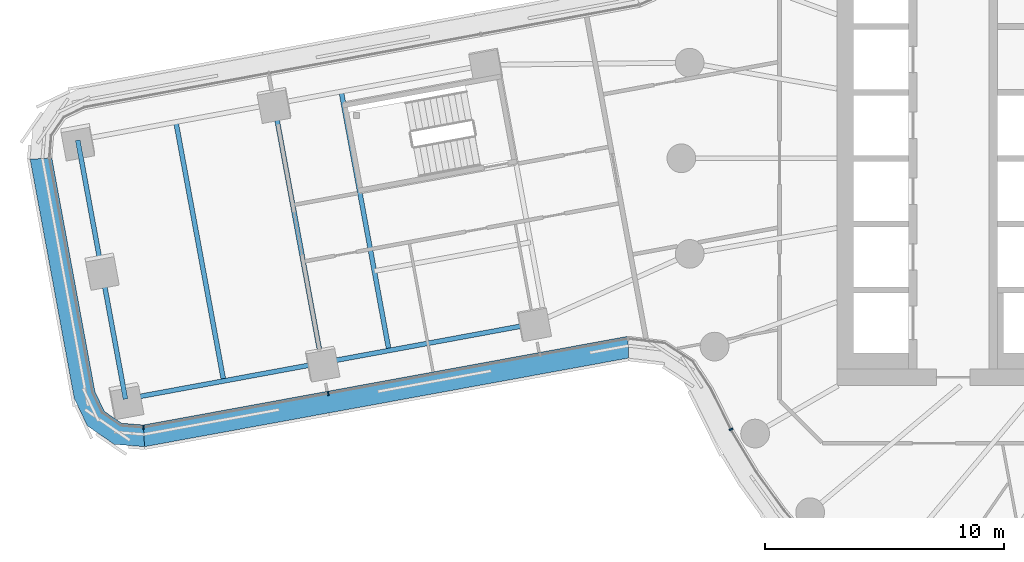
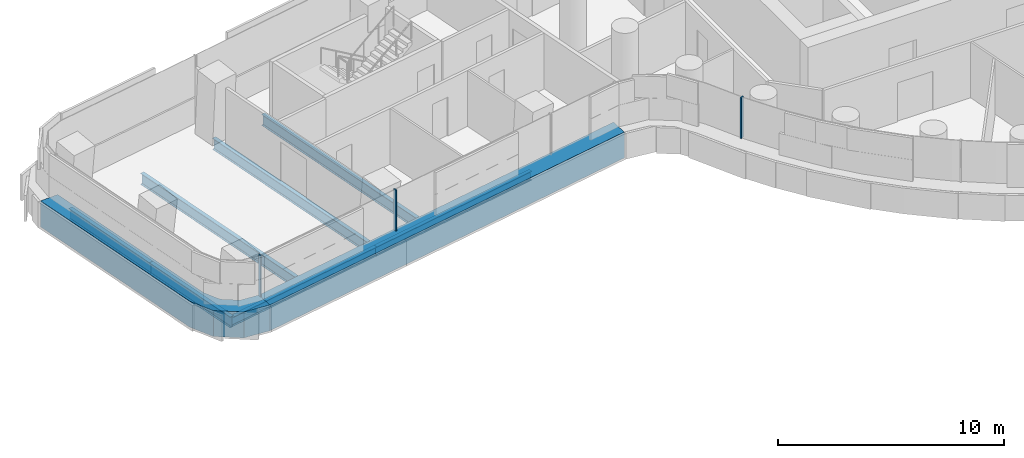
# One storey, part 6 of 33: 7 beams, 5 members, 3 elements without a shape of their own.
"""IFC4 building model written with IfcOpenShell, lengths in metres."""

from ifc_helpers import new_model, si_unit, direction, frame, origin, origin_2d, place, context, subcontext, project, spatial, polyline, rectangle, i_section, outline, extrude, material, layer, layer_set, material_profile, profile_set, type_object, element, aggregate, save


model = new_model("IFC4")

# Units and contexts
model_context = context("Model", 3, precision=1e-05, world=origin(), true_north=direction((0.0, 1.0)))
body_context = subcontext(model_context, "Body", "Model", "MODEL_VIEW")
ifc_project = project(units=[si_unit("LENGTHUNIT", "METRE"), si_unit("AREAUNIT", "SQUARE_METRE"), si_unit("VOLUMEUNIT", "CUBIC_METRE"), si_unit("PLANEANGLEUNIT", "RADIAN"), si_unit("MASSUNIT", "GRAM", prefix="KILO")], contexts=[model_context])

# Site, building, storey
site_placement = place(None, origin())
site = spatial("IfcSite", under=ifc_project, at=site_placement, CompositionType="ELEMENT")
building_placement = place(site_placement, origin())
building = spatial("IfcBuilding", under=site, at=building_placement, Name="Tamarind Cross Interchange Tower", CompositionType="ELEMENT")
storey_placement = place(building_placement, frame((0.0, 0.0, 71.5)))
storey = spatial("IfcBuildingStorey", under=building, at=storey_placement, Name="L16", CompositionType="ELEMENT", Elevation=71.5)

# Beams
ifc_material_1 = material(Name="Steel Q355B", Category="steel")
ifc_material_profile_1 = material_profile(ifc_material_1, i_section(OverallWidth=0.198974609375, OverallDepth=0.49609375, WebThickness=0.009033203125, FlangeThickness=0.013916015625, FilletRadius=0.012939453125, at=origin_2d()), Name="HN 496x199x9x14")
ifc_profile_set_1 = profile_set([ifc_material_profile_1], Name="Steel Q355B")
beam_type_1 = type_object("IfcBeamType", Name="Composite beam HN 496x199x9x14 Q355B", PredefinedType="BEAM", material=ifc_profile_set_1)
beam_1_placement = place(storey_placement, frame((-46.219482421875, -10.058837890625, -0.387939453125), z_axis=(0.983421064017, 0.181336733309, 0.0), x_axis=(-0.181336733309, 0.983421064017, 0.0)))
element("IfcBeam", 1, at=beam_1_placement, inside=storey, type_object=beam_type_1, Name="Beam W-edgeep2", PredefinedType="BEAM", context=body_context, shape_type="SweptSolid", body=[
    extrude(i_section(OverallWidth=0.198974609375, OverallDepth=0.49609375, WebThickness=0.009033203125, FlangeThickness=0.013916015625, FilletRadius=0.012939453125, at=origin_2d()), origin(), (0.0, 0.0, 1.0), 8.341796875),
])
beam_2_placement = place(storey_placement, frame((-38.015869140625, -8.546142578125, -0.387939453125), z_axis=(0.983420231604, 0.181341247573, 0.0), x_axis=(-0.181341247573, 0.983420231604, 0.0)))
element("IfcBeam", 2, at=beam_2_placement, inside=storey, type_object=beam_type_1, Name="Beam W-edgeep3", PredefinedType="BEAM", context=body_context, shape_type="SweptSolid", body=[
    extrude(i_section(OverallWidth=0.198974609375, OverallDepth=0.49609375, WebThickness=0.009033203125, FlangeThickness=0.013916015625, FilletRadius=0.012939453125, at=origin_2d()), origin(), (0.0, 0.0, 1.0), 9.0),
])
ifc_material_profile_2 = material_profile(ifc_material_1, i_section(OverallWidth=0.199951171875, OverallDepth=0.60009765625, WebThickness=0.010986328125, FlangeThickness=0.01708984375, FilletRadius=0.012939453125, at=origin_2d()), Name="HN 600x200x11x17")
ifc_profile_set_2 = profile_set([ifc_material_profile_2], Name="Steel Q355B")
beam_type_2 = type_object("IfcBeamType", Name="Composite beam HN 600x200x11x17 Q355B", PredefinedType="BEAM", material=ifc_profile_set_2)
beam_3_placement = place(storey_placement, frame((-48.21435546875, 0.7587890625, -0.43994140625), z_axis=(0.181334160183, -0.983421538482, 0.0), x_axis=(0.983421538482, 0.181334160183, 0.0)))
element("IfcBeam", 3, at=beam_3_placement, inside=storey, type_object=beam_type_2, Name="Beam W-tip0", PredefinedType="BEAM", context=body_context, shape_type="SweptSolid", body=[
    extrude(i_section(OverallWidth=0.199951171875, OverallDepth=0.60009765625, WebThickness=0.010986328125, FlangeThickness=0.01708984375, FilletRadius=0.012939453125, at=origin_2d()), origin(), (0.0, 0.0, 1.0), 5.499755859375),
])
beam_4_placement = place(storey_placement, frame((-47.217041015625, -4.64990234375, -0.43994140625), z_axis=(0.181369172841, -0.983415081816, 0.0), x_axis=(0.983415081816, 0.181369172841, 0.0)))
element("IfcBeam", 4, at=beam_4_placement, inside=storey, type_object=beam_type_2, Name="Beam W-tip1", PredefinedType="BEAM", context=body_context, shape_type="SweptSolid", body=[
    extrude(i_section(OverallWidth=0.199951171875, OverallDepth=0.60009765625, WebThickness=0.010986328125, FlangeThickness=0.01708984375, FilletRadius=0.012939453125, at=origin_2d()), origin(), (0.0, 0.0, 1.0), 5.500244140625),
])
for number, where, z_axis, x_axis, name in (
    (5, (-37.207763671875, 2.788330078125, -0.43994140625), (0.181330202258, -0.98342226828, 0.0), (0.98342226828, 0.181330202258, 0.0), "Beam W-x364"),
    (6, (-40.010498046875, 2.271484375, -0.43994140625), (0.181330202258, -0.98342226828, 0.0), (0.98342226828, 0.181330202258, 0.0), "Beam W-x393"),
    (7, (-44.112548828125, 1.51513671875, -0.43994140625), (0.181351666994, -0.983418310221, 0.0), (0.983418310221, 0.181351666994, 0.0), "Beam W-x435"),
):
    element("IfcBeam", number, at=place(storey_placement, frame(where, z_axis=z_axis, x_axis=x_axis)), inside=storey, type_object=beam_type_2, Name=name, PredefinedType="BEAM", context=body_context, shape_type="SweptSolid", body=[
        extrude(i_section(OverallWidth=0.199951171875, OverallDepth=0.60009765625, WebThickness=0.010986328125, FlangeThickness=0.01708984375, FilletRadius=0.012939453125, at=origin_2d()), origin(), (0.0, 0.0, 1.0), 11.0),
    ])

# Curtain wall, member
ifc_material_2 = material(Name="Aluminium 6063-T6", Category="aluminium")
ifc_layer = layer(ifc_material_2, 0.159912109375)
ifc_layer_set = layer_set([ifc_layer], Name="Aluminium 6063-T6")
curtain_wall_type = type_object("IfcCurtainWallType", Name="Office curtain wall, 9.0 m bays", PredefinedType="NOTDEFINED", material=ifc_layer_set)
curtain_wall_1_placement = place(storey_placement, origin())
curtain_wall_1 = element("IfcCurtainWall", 8, at=curtain_wall_1_placement, inside=storey, type_object=curtain_wall_type, Name="CWS-L16-00", PredefinedType="NOTDEFINED")
ifc_material_3 = material(Name="Aluminium and insulated spandrel panel", Category="aluminium")
member_type_1 = type_object("IfcMemberType", Name="Floor-edge blade transom", PredefinedType="USERDEFINED", material=ifc_material_3)
member_1_placement = place(storey_placement, origin())
member_1 = element("IfcMember", 9, at=member_1_placement, type_object=member_type_1, Name="CWT-L16-00", ObjectType="TRANSOM", PredefinedType="USERDEFINED", context=body_context, shape_type="SweptSolid", body=[
    extrude(outline(polyline([(-49.296630859375, 0.0107421875), (-47.49755859375, -9.745849609375), (-47.104248046875, -10.572509765625), (-46.384033203125, -11.068359375), (-45.47119140625, -11.14111328125), (-45.425048828125, -12.047607421875), (-46.69580078125, -11.946533203125), (-47.813232421875, -11.177001953125), (-48.361083984375, -10.025634765625), (-50.203125, -0.0361328125), (-49.296630859375, 0.0107421875)])), origin(), (0.0, 0.0, 1.0), 1.39990234375),
])
aggregate(curtain_wall_1, [member_1])

# Curtain wall, members
curtain_wall_2_placement = place(storey_placement, origin())
curtain_wall_2 = element("IfcCurtainWall", 10, at=curtain_wall_2_placement, inside=storey, type_object=curtain_wall_type, Name="CWS-L16-01", PredefinedType="NOTDEFINED")
member_2_placement = place(storey_placement, origin())
member_2 = element("IfcMember", 11, at=member_2_placement, type_object=member_type_1, Name="CWT-L16-01", ObjectType="TRANSOM", PredefinedType="USERDEFINED", context=body_context, shape_type="SweptSolid", body=[
    extrude(outline(polyline([(-45.47119140625, -11.14111328125), (-25.23046875, -7.435546875), (-25.201904296875, -8.34521484375), (-45.425048828125, -12.047607421875), (-45.47119140625, -11.14111328125)])), origin(), (0.0, 0.0, 1.0), 1.39990234375),
])
ifc_material_profile_3 = material_profile(ifc_material_2, rectangle(XDim=0.06005859375, YDim=0.159912109375, at=origin_2d()), Name="Mullion CW1")
ifc_profile_set_3 = profile_set([ifc_material_profile_3], Name="Aluminium 6063-T6")
member_type_2 = type_object("IfcMemberType", Name="Mullion CW1", PredefinedType="MULLION", material=ifc_profile_set_3)
member_3_placement = place(storey_placement, frame((-45.466064453125, -11.241943359375, 1.39990234375), z_axis=(0.0, 0.0, 1.0), x_axis=(0.998709279834, 0.050791479342, 0.0)))
member_3 = element("IfcMember", 12, at=member_3_placement, type_object=member_type_2, Name="CWM-L16-01-00", PredefinedType="MULLION", context=body_context, shape_type="SweptSolid", body=[
    extrude(rectangle(XDim=0.06005859375, YDim=0.159912109375, at=origin_2d()), origin(), (0.0, 0.0, 1.0), 2.210205078125),
])
member_4_placement = place(storey_placement, frame((-37.750732421875, -9.829345703125, 1.39990234375), z_axis=(0.0, 0.0, 1.0), x_axis=(0.98365083434, 0.180086190758, 0.0)))
member_4 = element("IfcMember", 13, at=member_4_placement, type_object=member_type_2, Name="CWM-L16-01-01", PredefinedType="MULLION", context=body_context, shape_type="SweptSolid", body=[
    extrude(rectangle(XDim=0.06005859375, YDim=0.159912109375, at=origin_2d()), origin(), (0.0, 0.0, 1.0), 2.210205078125),
])
aggregate(curtain_wall_2, [member_3, member_4, member_2])

# Curtain wall, member
curtain_wall_3_placement = place(storey_placement, origin())
curtain_wall_3 = element("IfcCurtainWall", 14, at=curtain_wall_3_placement, inside=storey, type_object=curtain_wall_type, Name="CWS-L16-02", PredefinedType="NOTDEFINED")
member_5_placement = place(storey_placement, frame((-20.92626953125, -11.31982421875, 1.39990234375), z_axis=(0.0, 0.0, 1.0), x_axis=(0.443058811505, -0.896492548518, 0.0)))
member_5 = element("IfcMember", 15, at=member_5_placement, type_object=member_type_2, Name="CWM-L16-02-01", PredefinedType="MULLION", context=body_context, shape_type="SweptSolid", body=[
    extrude(rectangle(XDim=0.06005859375, YDim=0.159912109375, at=origin_2d()), origin(), (0.0, 0.0, 1.0), 2.210205078125),
])
aggregate(curtain_wall_3, [member_5])

save(model, "model.ifc")
